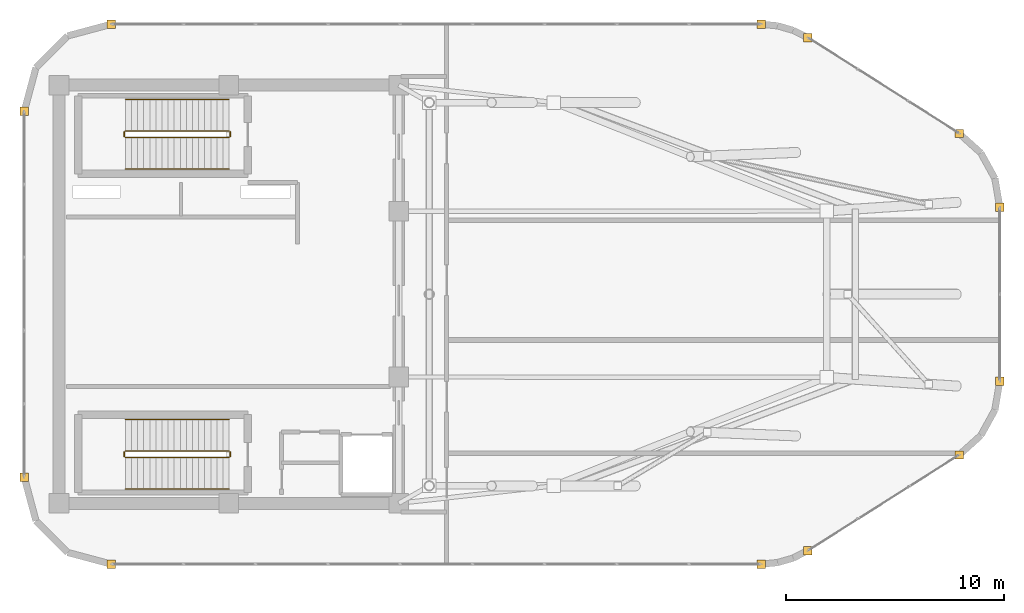
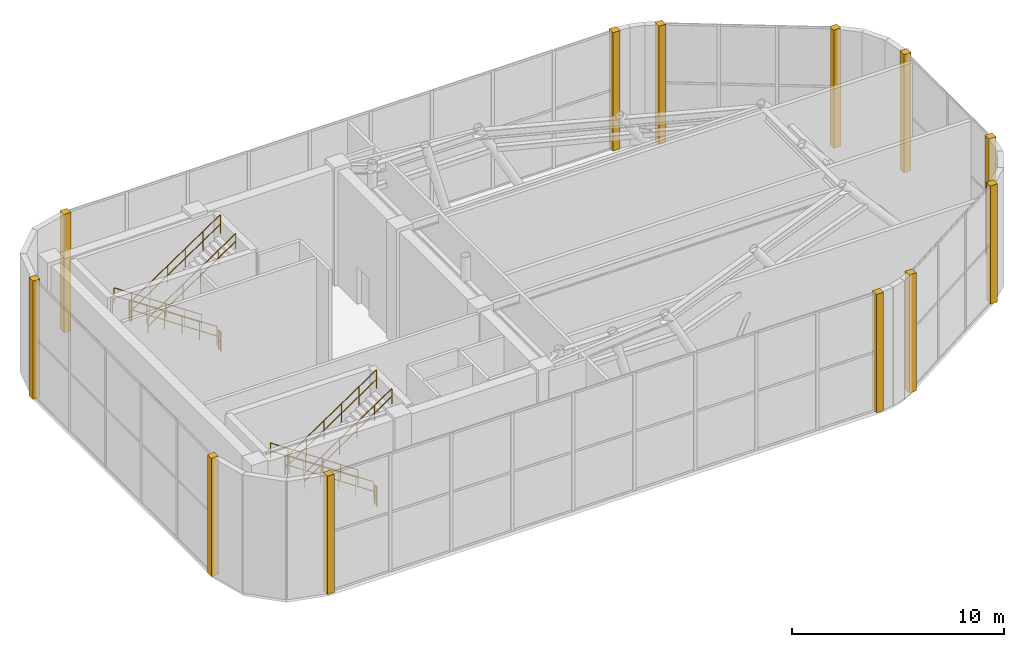
# One storey, part 24 of 24: 12 coverings, 12 railings.
"""IFC4 building model written with IfcOpenShell, lengths in metres."""

from ifc_helpers import new_model, si_unit, direction, frame, origin, origin_2d, place, context, subcontext, project, spatial, rectangle, circle, extrude, material, layer, layer_set, type_object, element, save


model = new_model("IFC4")

# Units and contexts
model_context = context("Model", 3, precision=1e-05, world=origin(), true_north=direction((0.0, 1.0)))
body_context = subcontext(model_context, "Body", "Model", "MODEL_VIEW")
ifc_project = project(units=[si_unit("LENGTHUNIT", "METRE"), si_unit("AREAUNIT", "SQUARE_METRE"), si_unit("VOLUMEUNIT", "CUBIC_METRE"), si_unit("PLANEANGLEUNIT", "RADIAN"), si_unit("MASSUNIT", "GRAM", prefix="KILO")], contexts=[model_context])

# Site, building, storey
site_placement = place(None, origin())
site = spatial("IfcSite", under=ifc_project, at=site_placement, CompositionType="ELEMENT")
building_placement = place(site_placement, origin())
building = spatial("IfcBuilding", under=site, at=building_placement, Name="An Khanh Terracotta Commons", CompositionType="ELEMENT")
storey_placement = place(building_placement, frame((0.0, 0.0, 315.199951171875)))
storey = spatial("IfcBuildingStorey", under=building, at=storey_placement, Name="L80 Crown Cooling Plant", CompositionType="ELEMENT", Elevation=315.199951171875)

# Coverings
ifc_material_1 = material(Name="Fired Terracotta Rainscreen Cladding", Category="masonry")
ifc_layer = layer(ifc_material_1, 0.080078125, Name="Fired Terracotta Rainscreen Cladding")
ifc_layer_set = layer_set([ifc_layer], Name="Fired Terracotta Rainscreen Cladding")
covering_type = type_object("IfcCoveringType", Name="COV-JAMB-TERRA", PredefinedType="CLADDING", material=ifc_layer_set)
for number, where, z_axis, x_axis, name in (
    (1, (24.0, 11.60009765625, 0.0), (0.0, 0.0, 1.0), (1.0, 0.0, 0.0), "L80 Crown Cooling Plant CW-06 Curtain-Wall Jamb Closure JA"),
    (2, (53.841064453125, 11.60009765625, 0.0), (0.0, 0.0, 1.0), (1.0, 0.0, 0.0), "L80 Crown Cooling Plant CW-06 Curtain-Wall Jamb Closure JB"),
    (3, (55.97998046875, 12.219970703125, 0.0), (0.0, 0.0, 1.0), (1.0, 0.0, 0.0), "L80 Crown Cooling Plant CW-06 Curtain-Wall Jamb Closure JA"),
    (4, (62.93896484375, 16.6220703125, 0.0), (0.0, 0.0, 1.0), (1.0, 0.0, 0.0), "L80 Crown Cooling Plant CW-06 Curtain-Wall Jamb Closure JB"),
    (5, (64.800048828125, 20.0029296875, 0.0), (0.0, 0.0, 1.0), (1.0, 0.0, 0.0), "L80 Crown Cooling Plant CW-06 Curtain-Wall Jamb Closure JA"),
    (6, (64.800048828125, 27.9970703125, 0.0), (0.0, 0.0, 1.0), (1.0, 0.0, 0.0), "L80 Crown Cooling Plant CW-06 Curtain-Wall Jamb Closure JB"),
    (7, (62.93896484375, 31.3779296875, 0.0), (0.0, 0.0, 1.0), (1.0, 0.0, 0.0), "L80 Crown Cooling Plant CW-06 Curtain-Wall Jamb Closure JA"),
    (8, (55.97998046875, 35.780029296875, 0.0), (0.0, 0.0, 1.0), (1.0, 0.0, 0.0), "L80 Crown Cooling Plant CW-06 Curtain-Wall Jamb Closure JB"),
    (9, (53.841064453125, 36.39990234375, 0.0), (0.0, 0.0, 1.0), (1.0, 0.0, 0.0), "L80 Crown Cooling Plant CW-06 Curtain-Wall Jamb Closure JA"),
    (10, (24.0, 36.39990234375, 0.0), (0.0, 0.0, 1.0), (1.0, 0.0, 0.0), "L80 Crown Cooling Plant CW-06 Curtain-Wall Jamb Closure JB"),
    (11, (20.0, 32.39990234375, 0.0), (0.0, 0.0, 1.0), (1.0, 0.0, 0.0), "L80 Crown Cooling Plant CW-06 Curtain-Wall Jamb Closure JA"),
    (12, (20.0, 15.60009765625, 0.0), (0.0, 0.0, 1.0), (1.0, 0.0, 0.0), "L80 Crown Cooling Plant CW-06 Curtain-Wall Jamb Closure JB"),
):
    element("IfcCovering", number, at=place(storey_placement, frame(where, z_axis=z_axis, x_axis=x_axis)), inside=storey, type_object=covering_type, Name=name, PredefinedType="CLADDING", context=body_context, shape_type="SweptSolid", body=[
        extrude(rectangle(XDim=0.3798828125, YDim=0.3798828125, at=origin_2d()), origin(), (0.0, 0.0, 1.0), 6.800048828125),
    ])

# Railings
ifc_material_2 = material(Name="Brushed Stainless Steel 316", Category="steel")
railing_type_1 = type_object("IfcRailingType", Name="RAIL-HANDRAIL-900", PredefinedType="HANDRAIL", material=ifc_material_2)
railing_1_placement = place(storey_placement, frame((29.409912109375, 32.949951171875, 0.18896484375)))
element("IfcRailing", 13, at=railing_1_placement, inside=storey, type_object=railing_type_1, Name="L80 Crown Cooling Plant ST-01 stair handrail 1", PredefinedType="HANDRAIL", context=body_context, shape_type="SweptSolid", body=[
    extrude(circle(Radius=0.02392578125, at=origin_2d()), frame((0.0, 0.0, 0.8759765625), z_axis=(-0.828996029242, 0.0, 0.55925448903), x_axis=(0.0, -1.0, 0.0)), (0.0, 0.0, 1.0), 5.741943359375),
    extrude(circle(Radius=0.02392578125, at=origin_2d()), frame((0.0, 0.0, 0.42578125), z_axis=(-0.828996029242, 0.0, 0.55925448903), x_axis=(0.0, -1.0, 0.0)), (0.0, 0.0, 1.0), 5.741943359375),
    extrude(circle(Radius=0.02099609375, at=origin_2d()), origin(), (0.0, 0.0, 1.0), 0.851806640625),
    extrude(circle(Radius=0.02099609375, at=origin_2d()), frame((-0.951904296875, 0.0, 0.642333984375)), (0.0, 0.0, 1.0), 0.851806640625),
    extrude(circle(Radius=0.02099609375, at=origin_2d()), frame((-1.904052734375, 0.0, 1.284423828125)), (0.0, 0.0, 1.0), 0.851806640625),
    extrude(circle(Radius=0.02099609375, at=origin_2d()), frame((-2.85595703125, 0.0, 1.9267578125)), (0.0, 0.0, 1.0), 0.851806640625),
    extrude(circle(Radius=0.02099609375, at=origin_2d()), frame((-3.80810546875, 0.0, 2.56884765625)), (0.0, 0.0, 1.0), 0.851806640625),
    extrude(circle(Radius=0.02099609375, at=origin_2d()), frame((-4.760009765625, 0.0, 3.211181640625)), (0.0, 0.0, 1.0), 0.851806640625),
])
railing_2_placement = place(storey_placement, frame((24.64990234375, 29.75, 3.5888671875)))
element("IfcRailing", 14, at=railing_2_placement, inside=storey, type_object=railing_type_1, Name="L80 Crown Cooling Plant ST-01 stair handrail 2", PredefinedType="HANDRAIL", context=body_context, shape_type="SweptSolid", body=[
    extrude(circle(Radius=0.02392578125, at=origin_2d()), frame((0.0, 0.0, 0.8759765625), z_axis=(0.828996029242, 0.0, 0.55925448903), x_axis=(0.0, 1.0, 0.0)), (0.0, 0.0, 1.0), 5.741943359375),
    extrude(circle(Radius=0.02392578125, at=origin_2d()), frame((0.0, 0.0, 0.42578125), z_axis=(0.828996029242, 0.0, 0.55925448903), x_axis=(0.0, 1.0, 0.0)), (0.0, 0.0, 1.0), 5.741943359375),
    extrude(circle(Radius=0.02099609375, at=origin_2d()), origin(), (0.0, 0.0, 1.0), 0.851806640625),
    extrude(circle(Radius=0.02099609375, at=origin_2d()), frame((0.951904296875, 0.0, 0.642333984375)), (0.0, 0.0, 1.0), 0.851806640625),
    extrude(circle(Radius=0.02099609375, at=origin_2d()), frame((1.904052734375, 0.0, 1.284423828125)), (0.0, 0.0, 1.0), 0.851806640625),
    extrude(circle(Radius=0.02099609375, at=origin_2d()), frame((2.85595703125, 0.0, 1.9267578125)), (0.0, 0.0, 1.0), 0.851806640625),
    extrude(circle(Radius=0.02099609375, at=origin_2d()), frame((3.80810546875, 0.0, 2.56884765625)), (0.0, 0.0, 1.0), 0.851806640625),
    extrude(circle(Radius=0.02099609375, at=origin_2d()), frame((4.760009765625, 0.0, 3.211181640625)), (0.0, 0.0, 1.0), 0.851806640625),
])
railing_3_placement = place(storey_placement, frame((29.409912109375, 18.25, 0.18896484375)))
element("IfcRailing", 15, at=railing_3_placement, inside=storey, type_object=railing_type_1, Name="L80 Crown Cooling Plant ST-02 stair handrail 1", PredefinedType="HANDRAIL", context=body_context, shape_type="SweptSolid", body=[
    extrude(circle(Radius=0.02392578125, at=origin_2d()), frame((0.0, 0.0, 0.8759765625), z_axis=(-0.828996029242, 0.0, 0.55925448903), x_axis=(0.0, -1.0, 0.0)), (0.0, 0.0, 1.0), 5.741943359375),
    extrude(circle(Radius=0.02392578125, at=origin_2d()), frame((0.0, 0.0, 0.42578125), z_axis=(-0.828996029242, 0.0, 0.55925448903), x_axis=(0.0, -1.0, 0.0)), (0.0, 0.0, 1.0), 5.741943359375),
    extrude(circle(Radius=0.02099609375, at=origin_2d()), origin(), (0.0, 0.0, 1.0), 0.851806640625),
    extrude(circle(Radius=0.02099609375, at=origin_2d()), frame((-0.951904296875, 0.0, 0.642333984375)), (0.0, 0.0, 1.0), 0.851806640625),
    extrude(circle(Radius=0.02099609375, at=origin_2d()), frame((-1.904052734375, 0.0, 1.284423828125)), (0.0, 0.0, 1.0), 0.851806640625),
    extrude(circle(Radius=0.02099609375, at=origin_2d()), frame((-2.85595703125, 0.0, 1.9267578125)), (0.0, 0.0, 1.0), 0.851806640625),
    extrude(circle(Radius=0.02099609375, at=origin_2d()), frame((-3.80810546875, 0.0, 2.56884765625)), (0.0, 0.0, 1.0), 0.851806640625),
    extrude(circle(Radius=0.02099609375, at=origin_2d()), frame((-4.760009765625, 0.0, 3.211181640625)), (0.0, 0.0, 1.0), 0.851806640625),
])
railing_4_placement = place(storey_placement, frame((24.64990234375, 15.050048828125, 3.5888671875)))
element("IfcRailing", 16, at=railing_4_placement, inside=storey, type_object=railing_type_1, Name="L80 Crown Cooling Plant ST-02 stair handrail 2", PredefinedType="HANDRAIL", context=body_context, shape_type="SweptSolid", body=[
    extrude(circle(Radius=0.02392578125, at=origin_2d()), frame((0.0, 0.0, 0.8759765625), z_axis=(0.828996029242, 0.0, 0.55925448903), x_axis=(0.0, 1.0, 0.0)), (0.0, 0.0, 1.0), 5.741943359375),
    extrude(circle(Radius=0.02392578125, at=origin_2d()), frame((0.0, 0.0, 0.42578125), z_axis=(0.828996029242, 0.0, 0.55925448903), x_axis=(0.0, 1.0, 0.0)), (0.0, 0.0, 1.0), 5.741943359375),
    extrude(circle(Radius=0.02099609375, at=origin_2d()), origin(), (0.0, 0.0, 1.0), 0.851806640625),
    extrude(circle(Radius=0.02099609375, at=origin_2d()), frame((0.951904296875, 0.0, 0.642333984375)), (0.0, 0.0, 1.0), 0.851806640625),
    extrude(circle(Radius=0.02099609375, at=origin_2d()), frame((1.904052734375, 0.0, 1.284423828125)), (0.0, 0.0, 1.0), 0.851806640625),
    extrude(circle(Radius=0.02099609375, at=origin_2d()), frame((2.85595703125, 0.0, 1.9267578125)), (0.0, 0.0, 1.0), 0.851806640625),
    extrude(circle(Radius=0.02099609375, at=origin_2d()), frame((3.80810546875, 0.0, 2.56884765625)), (0.0, 0.0, 1.0), 0.851806640625),
    extrude(circle(Radius=0.02099609375, at=origin_2d()), frame((4.760009765625, 0.0, 3.211181640625)), (0.0, 0.0, 1.0), 0.851806640625),
])
ifc_material_3 = material(Name="Powder-Coated Steel S355J2", Category="steel")
railing_type_2 = type_object("IfcRailingType", Name="RAIL-STAIR-GUARD-1100", PredefinedType="BALUSTRADE", material=ifc_material_3)
railing_5_placement = place(storey_placement, frame((29.409912109375, 31.5, 0.18896484375)))
element("IfcRailing", 17, at=railing_5_placement, inside=storey, type_object=railing_type_2, Name="L80 Crown Cooling Plant ST-01 stair guard 1", PredefinedType="BALUSTRADE", context=body_context, shape_type="SweptSolid", body=[
    extrude(circle(Radius=0.02392578125, at=origin_2d()), frame((0.0, 0.0, 1.076171875), z_axis=(-0.828996029242, 0.0, 0.55925448903), x_axis=(0.0, -1.0, 0.0)), (0.0, 0.0, 1.0), 5.741943359375),
    extrude(circle(Radius=0.02392578125, at=origin_2d()), frame((0.0, 0.0, 0.52587890625), z_axis=(-0.828996029242, 0.0, 0.55925448903), x_axis=(0.0, -1.0, 0.0)), (0.0, 0.0, 1.0), 5.741943359375),
    extrude(circle(Radius=0.02099609375, at=origin_2d()), origin(), (0.0, 0.0, 1.0), 1.052001953125),
    extrude(circle(Radius=0.02099609375, at=origin_2d()), frame((-0.951904296875, 0.0, 0.642333984375)), (0.0, 0.0, 1.0), 1.052001953125),
    extrude(circle(Radius=0.02099609375, at=origin_2d()), frame((-1.904052734375, 0.0, 1.284423828125)), (0.0, 0.0, 1.0), 1.052001953125),
    extrude(circle(Radius=0.02099609375, at=origin_2d()), frame((-2.85595703125, 0.0, 1.9267578125)), (0.0, 0.0, 1.0), 1.052001953125),
    extrude(circle(Radius=0.02099609375, at=origin_2d()), frame((-3.80810546875, 0.0, 2.56884765625)), (0.0, 0.0, 1.0), 1.052001953125),
    extrude(circle(Radius=0.02099609375, at=origin_2d()), frame((-4.760009765625, 0.0, 3.211181640625)), (0.0, 0.0, 1.0), 1.052001953125),
])
railing_6_placement = place(storey_placement, frame((24.60009765625, 31.449951171875, 3.400146484375)))
element("IfcRailing", 18, at=railing_6_placement, inside=storey, type_object=railing_type_2, Name="L80 Crown Cooling Plant ST-01 stair guard 2", PredefinedType="BALUSTRADE", context=body_context, shape_type="SweptSolid", body=[
    extrude(circle(Radius=0.02392578125, at=origin_2d()), frame((0.0, 0.0, 1.076171875), z_axis=(0.0, -1.0, 0.0), x_axis=(1.0, 0.0, 0.0)), (0.0, 0.0, 1.0), 0.199951171875),
    extrude(circle(Radius=0.02392578125, at=origin_2d()), frame((0.0, 0.0, 0.52587890625), z_axis=(0.0, -1.0, 0.0), x_axis=(1.0, 0.0, 0.0)), (0.0, 0.0, 1.0), 0.199951171875),
    extrude(circle(Radius=0.02099609375, at=origin_2d()), origin(), (0.0, 0.0, 1.0), 1.052001953125),
    extrude(circle(Radius=0.02099609375, at=origin_2d()), frame((0.0, -0.199951171875, 0.0)), (0.0, 0.0, 1.0), 1.052001953125),
])
railing_7_placement = place(storey_placement, frame((24.64990234375, 31.199951171875, 3.5888671875)))
element("IfcRailing", 19, at=railing_7_placement, inside=storey, type_object=railing_type_2, Name="L80 Crown Cooling Plant ST-01 stair guard 3", PredefinedType="BALUSTRADE", context=body_context, shape_type="SweptSolid", body=[
    extrude(circle(Radius=0.02392578125, at=origin_2d()), frame((0.0, 0.0, 1.076171875), z_axis=(0.828996029242, 0.0, 0.55925448903), x_axis=(0.0, 1.0, 0.0)), (0.0, 0.0, 1.0), 5.741943359375),
    extrude(circle(Radius=0.02392578125, at=origin_2d()), frame((0.0, 0.0, 0.52587890625), z_axis=(0.828996029242, 0.0, 0.55925448903), x_axis=(0.0, 1.0, 0.0)), (0.0, 0.0, 1.0), 5.741943359375),
    extrude(circle(Radius=0.02099609375, at=origin_2d()), origin(), (0.0, 0.0, 1.0), 1.052001953125),
    extrude(circle(Radius=0.02099609375, at=origin_2d()), frame((0.951904296875, 0.0, 0.642333984375)), (0.0, 0.0, 1.0), 1.052001953125),
    extrude(circle(Radius=0.02099609375, at=origin_2d()), frame((1.904052734375, 0.0, 1.284423828125)), (0.0, 0.0, 1.0), 1.052001953125),
    extrude(circle(Radius=0.02099609375, at=origin_2d()), frame((2.85595703125, 0.0, 1.9267578125)), (0.0, 0.0, 1.0), 1.052001953125),
    extrude(circle(Radius=0.02099609375, at=origin_2d()), frame((3.80810546875, 0.0, 2.56884765625)), (0.0, 0.0, 1.0), 1.052001953125),
    extrude(circle(Radius=0.02099609375, at=origin_2d()), frame((4.760009765625, 0.0, 3.211181640625)), (0.0, 0.0, 1.0), 1.052001953125),
])
railing_8_placement = place(storey_placement, frame((29.4599609375, 31.449951171875, 0.0)))
element("IfcRailing", 20, at=railing_8_placement, inside=storey, type_object=railing_type_2, Name="L80 Crown Cooling Plant ST-01 stair guard 4", PredefinedType="BALUSTRADE", context=body_context, shape_type="SweptSolid", body=[
    extrude(circle(Radius=0.02392578125, at=origin_2d()), frame((0.0, 0.0, 1.076171875), z_axis=(0.0, -1.0, 0.0), x_axis=(1.0, 0.0, 0.0)), (0.0, 0.0, 1.0), 0.199951171875),
    extrude(circle(Radius=0.02392578125, at=origin_2d()), frame((0.0, 0.0, 0.52587890625), z_axis=(0.0, -1.0, 0.0), x_axis=(1.0, 0.0, 0.0)), (0.0, 0.0, 1.0), 0.199951171875),
    extrude(circle(Radius=0.02099609375, at=origin_2d()), origin(), (0.0, 0.0, 1.0), 1.052001953125),
    extrude(circle(Radius=0.02099609375, at=origin_2d()), frame((0.0, -0.199951171875, 0.0)), (0.0, 0.0, 1.0), 1.052001953125),
])
railing_9_placement = place(storey_placement, frame((29.409912109375, 16.800048828125, 0.18896484375)))
element("IfcRailing", 21, at=railing_9_placement, inside=storey, type_object=railing_type_2, Name="L80 Crown Cooling Plant ST-02 stair guard 1", PredefinedType="BALUSTRADE", context=body_context, shape_type="SweptSolid", body=[
    extrude(circle(Radius=0.02392578125, at=origin_2d()), frame((0.0, 0.0, 1.076171875), z_axis=(-0.828996029242, 0.0, 0.55925448903), x_axis=(0.0, -1.0, 0.0)), (0.0, 0.0, 1.0), 5.741943359375),
    extrude(circle(Radius=0.02392578125, at=origin_2d()), frame((0.0, 0.0, 0.52587890625), z_axis=(-0.828996029242, 0.0, 0.55925448903), x_axis=(0.0, -1.0, 0.0)), (0.0, 0.0, 1.0), 5.741943359375),
    extrude(circle(Radius=0.02099609375, at=origin_2d()), origin(), (0.0, 0.0, 1.0), 1.052001953125),
    extrude(circle(Radius=0.02099609375, at=origin_2d()), frame((-0.951904296875, 0.0, 0.642333984375)), (0.0, 0.0, 1.0), 1.052001953125),
    extrude(circle(Radius=0.02099609375, at=origin_2d()), frame((-1.904052734375, 0.0, 1.284423828125)), (0.0, 0.0, 1.0), 1.052001953125),
    extrude(circle(Radius=0.02099609375, at=origin_2d()), frame((-2.85595703125, 0.0, 1.9267578125)), (0.0, 0.0, 1.0), 1.052001953125),
    extrude(circle(Radius=0.02099609375, at=origin_2d()), frame((-3.80810546875, 0.0, 2.56884765625)), (0.0, 0.0, 1.0), 1.052001953125),
    extrude(circle(Radius=0.02099609375, at=origin_2d()), frame((-4.760009765625, 0.0, 3.211181640625)), (0.0, 0.0, 1.0), 1.052001953125),
])
railing_10_placement = place(storey_placement, frame((24.60009765625, 16.75, 3.400146484375)))
element("IfcRailing", 22, at=railing_10_placement, inside=storey, type_object=railing_type_2, Name="L80 Crown Cooling Plant ST-02 stair guard 2", PredefinedType="BALUSTRADE", context=body_context, shape_type="SweptSolid", body=[
    extrude(circle(Radius=0.02392578125, at=origin_2d()), frame((0.0, 0.0, 1.076171875), z_axis=(0.0, -1.0, 0.0), x_axis=(1.0, 0.0, 0.0)), (0.0, 0.0, 1.0), 0.199951171875),
    extrude(circle(Radius=0.02392578125, at=origin_2d()), frame((0.0, 0.0, 0.52587890625), z_axis=(0.0, -1.0, 0.0), x_axis=(1.0, 0.0, 0.0)), (0.0, 0.0, 1.0), 0.199951171875),
    extrude(circle(Radius=0.02099609375, at=origin_2d()), origin(), (0.0, 0.0, 1.0), 1.052001953125),
    extrude(circle(Radius=0.02099609375, at=origin_2d()), frame((0.0, -0.199951171875, 0.0)), (0.0, 0.0, 1.0), 1.052001953125),
])
railing_11_placement = place(storey_placement, frame((24.64990234375, 16.5, 3.5888671875)))
element("IfcRailing", 23, at=railing_11_placement, inside=storey, type_object=railing_type_2, Name="L80 Crown Cooling Plant ST-02 stair guard 3", PredefinedType="BALUSTRADE", context=body_context, shape_type="SweptSolid", body=[
    extrude(circle(Radius=0.02392578125, at=origin_2d()), frame((0.0, 0.0, 1.076171875), z_axis=(0.828996029242, 0.0, 0.55925448903), x_axis=(0.0, 1.0, 0.0)), (0.0, 0.0, 1.0), 5.741943359375),
    extrude(circle(Radius=0.02392578125, at=origin_2d()), frame((0.0, 0.0, 0.52587890625), z_axis=(0.828996029242, 0.0, 0.55925448903), x_axis=(0.0, 1.0, 0.0)), (0.0, 0.0, 1.0), 5.741943359375),
    extrude(circle(Radius=0.02099609375, at=origin_2d()), origin(), (0.0, 0.0, 1.0), 1.052001953125),
    extrude(circle(Radius=0.02099609375, at=origin_2d()), frame((0.951904296875, 0.0, 0.642333984375)), (0.0, 0.0, 1.0), 1.052001953125),
    extrude(circle(Radius=0.02099609375, at=origin_2d()), frame((1.904052734375, 0.0, 1.284423828125)), (0.0, 0.0, 1.0), 1.052001953125),
    extrude(circle(Radius=0.02099609375, at=origin_2d()), frame((2.85595703125, 0.0, 1.9267578125)), (0.0, 0.0, 1.0), 1.052001953125),
    extrude(circle(Radius=0.02099609375, at=origin_2d()), frame((3.80810546875, 0.0, 2.56884765625)), (0.0, 0.0, 1.0), 1.052001953125),
    extrude(circle(Radius=0.02099609375, at=origin_2d()), frame((4.760009765625, 0.0, 3.211181640625)), (0.0, 0.0, 1.0), 1.052001953125),
])
railing_12_placement = place(storey_placement, frame((29.4599609375, 16.75, 0.0)))
element("IfcRailing", 24, at=railing_12_placement, inside=storey, type_object=railing_type_2, Name="L80 Crown Cooling Plant ST-02 stair guard 4", PredefinedType="BALUSTRADE", context=body_context, shape_type="SweptSolid", body=[
    extrude(circle(Radius=0.02392578125, at=origin_2d()), frame((0.0, 0.0, 1.076171875), z_axis=(0.0, -1.0, 0.0), x_axis=(1.0, 0.0, 0.0)), (0.0, 0.0, 1.0), 0.199951171875),
    extrude(circle(Radius=0.02392578125, at=origin_2d()), frame((0.0, 0.0, 0.52587890625), z_axis=(0.0, -1.0, 0.0), x_axis=(1.0, 0.0, 0.0)), (0.0, 0.0, 1.0), 0.199951171875),
    extrude(circle(Radius=0.02099609375, at=origin_2d()), origin(), (0.0, 0.0, 1.0), 1.052001953125),
    extrude(circle(Radius=0.02099609375, at=origin_2d()), frame((0.0, -0.199951171875, 0.0)), (0.0, 0.0, 1.0), 1.052001953125),
])

save(model, "model.ifc")
